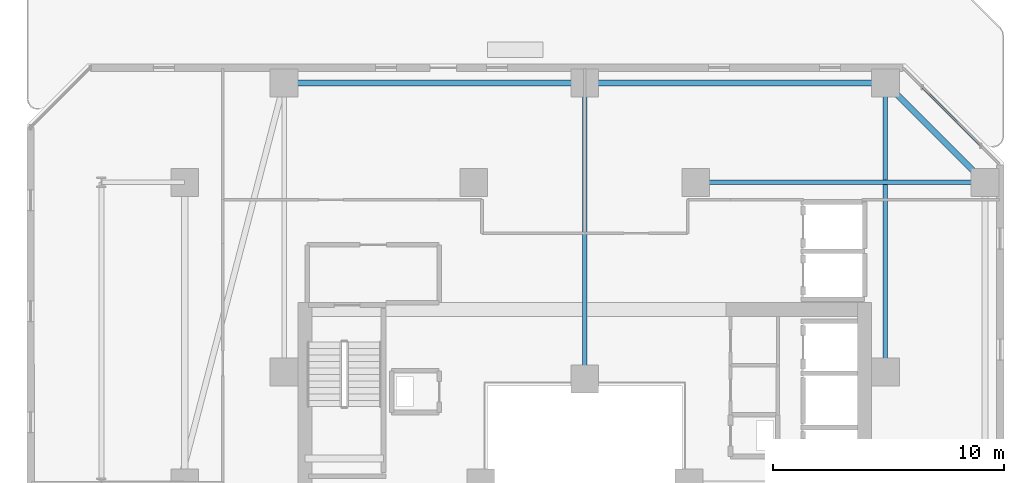
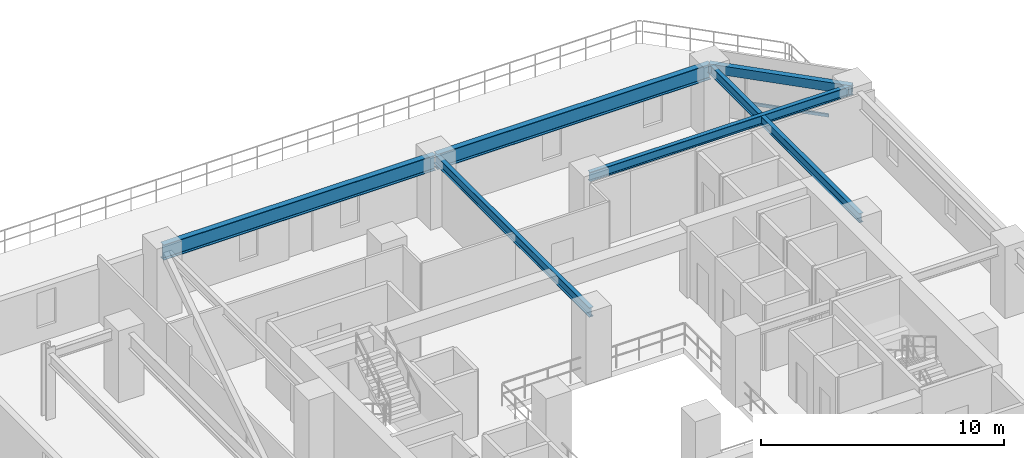
# One storey, part 17 of 33: 6 beams, 1 member, 1 element without a shape of its own.
"""IFC4 building model written with IfcOpenShell, lengths in metres."""

from ifc_helpers import new_model, si_unit, direction, frame, origin, origin_2d, place, context, subcontext, project, spatial, hollow_rectangle, i_section, extrude, material, material_profile, profile_set, type_object, element, aggregate, save


model = new_model("IFC4")

# Units and contexts
model_context = context("Model", 3, precision=1e-05, world=origin(), true_north=direction((0.0, 1.0)))
body_context = subcontext(model_context, "Body", "Model", "MODEL_VIEW")
ifc_project = project(units=[si_unit("LENGTHUNIT", "METRE"), si_unit("AREAUNIT", "SQUARE_METRE"), si_unit("VOLUMEUNIT", "CUBIC_METRE"), si_unit("PLANEANGLEUNIT", "RADIAN"), si_unit("MASSUNIT", "GRAM", prefix="KILO")], contexts=[model_context])

# Site, building, storey
site_placement = place(None, origin())
site = spatial("IfcSite", under=ifc_project, at=site_placement, CompositionType="ELEMENT")
building_placement = place(site_placement, origin())
building = spatial("IfcBuilding", under=site, at=building_placement, Name="Thornwick Lancets Civic Towers", CompositionType="ELEMENT")
storey_placement = place(building_placement, frame((0.0, 0.0, 98.10009765625)))
storey = spatial("IfcBuildingStorey", under=building, at=storey_placement, Name="L25", CompositionType="ELEMENT", Elevation=98.10009765625)

# Beams
ifc_material_1 = material(Name="Steel S355JR", Category="steel")
ifc_material_profile_1 = material_profile(ifc_material_1, i_section(OverallWidth=0.26806640625, OverallDepth=0.769775390625, WebThickness=0.015625, FlangeThickness=0.025390625, FilletRadius=0.0166015625, at=origin_2d()), Name="UKB 762x267x197")
ifc_profile_set_1 = profile_set([ifc_material_profile_1], Name="Steel S355JR")
beam_type_1 = type_object("IfcBeamType", Name="BM_GIRD_762_197", PredefinedType="BEAM", material=ifc_profile_set_1)
beam_1_placement = place(storey_placement, frame((101.5, 44.300048828125, 2.93505859375), z_axis=(-1.0, 0.0, 0.0), x_axis=(0.0, -1.0, 0.0)))
element("IfcBeam", 1, at=beam_1_placement, inside=storey, type_object=beam_type_1, Name="BM-SPINE-L25-B-3-4", PredefinedType="BEAM", context=body_context, shape_type="SweptSolid", body=[
    extrude(i_section(OverallWidth=0.26806640625, OverallDepth=0.769775390625, WebThickness=0.015625, FlangeThickness=0.025390625, FilletRadius=0.0166015625, at=origin_2d()), origin(), (0.0, 0.0, 1.0), 13.0),
])
beam_2_placement = place(storey_placement, frame((88.419921875, 44.300048828125, 2.93505859375), z_axis=(-1.0, 0.0, 0.0), x_axis=(0.0, -1.0, 0.0)))
element("IfcBeam", 2, at=beam_2_placement, inside=storey, type_object=beam_type_1, Name="BM-SPINE-L25-B-4-5", PredefinedType="BEAM", context=body_context, shape_type="SweptSolid", body=[
    extrude(i_section(OverallWidth=0.26806640625, OverallDepth=0.769775390625, WebThickness=0.015625, FlangeThickness=0.025390625, FilletRadius=0.0166015625, at=origin_2d()), origin(), (0.0, 0.0, 1.0), 12.919921875),
])
ifc_material_profile_2 = material_profile(ifc_material_1, i_section(OverallWidth=0.19287109375, OverallDepth=0.46728515625, WebThickness=0.011474609375, FlangeThickness=0.01953125, FilletRadius=0.01025390625, at=origin_2d()), Name="UKB 457x191x98")
ifc_profile_set_2 = profile_set([ifc_material_profile_2], Name="Steel S355JR")
beam_type_2 = type_object("IfcBeamType", Name="BM_JOIST_457_98", PredefinedType="JOIST", material=ifc_profile_set_2)
for number, where, z_axis, x_axis, name in (
    (3, (93.300048828125, 40.0, 3.086181640625), (1.0, 0.0, 0.0), (0.0, 1.0, 0.0), "BM-RADIN-L25-B03"),
    (4, (101.5, 31.800048828125, 3.086181640625), (0.0, 1.0, 0.0), (-1.0, 0.0, 0.0), "BM-RADIN-L25-B04"),
):
    element("IfcBeam", number, at=place(storey_placement, frame(where, z_axis=z_axis, x_axis=x_axis)), inside=storey, type_object=beam_type_2, Name=name, PredefinedType="JOIST", context=body_context, shape_type="SweptSolid", body=[
        extrude(i_section(OverallWidth=0.19287109375, OverallDepth=0.46728515625, WebThickness=0.011474609375, FlangeThickness=0.01953125, FilletRadius=0.01025390625, at=origin_2d()), origin(), (0.0, 0.0, 1.0), 12.5),
    ])
beam_3_placement = place(storey_placement, frame((88.5, 31.5, 3.086181640625), z_axis=(0.0, 1.0, 0.0), x_axis=(-1.0, 0.0, 0.0)))
element("IfcBeam", 5, at=beam_3_placement, inside=storey, type_object=beam_type_2, Name="BM-RADIN-L25-B05", PredefinedType="JOIST", context=body_context, shape_type="SweptSolid", body=[
    extrude(i_section(OverallWidth=0.19287109375, OverallDepth=0.46728515625, WebThickness=0.011474609375, FlangeThickness=0.01953125, FilletRadius=0.01025390625, at=origin_2d()), origin(), (0.0, 0.0, 1.0), 12.800048828125),
])
ifc_material_profile_3 = material_profile(ifc_material_1, hollow_rectangle(XDim=0.25, YDim=0.449951171875, WallThickness=0.01611328125, at=origin_2d()), Name="RHS 450x250x16")
ifc_profile_set_3 = profile_set([ifc_material_profile_3], Name="Steel S355JR")
beam_type_3 = type_object("IfcBeamType", Name="BM_RING_RHS450", PredefinedType="BEAM", material=ifc_profile_set_3)
beam_4_placement = place(storey_placement, frame((105.800048828125, 40.0, 3.094970703125), z_axis=(-0.707106781187, 0.707106781187, 0.0), x_axis=(-0.707106781187, -0.707106781187, 0.0)))
element("IfcBeam", 6, at=beam_4_placement, inside=storey, type_object=beam_type_3, Name="BM-CHAMF-L25-B-C0", PredefinedType="BEAM", context=body_context, shape_type="SweptSolid", body=[
    extrude(hollow_rectangle(XDim=0.25, YDim=0.449951171875, WallThickness=0.01611328125, at=origin_2d()), origin(), (0.0, 0.0, 1.0), 6.081298828125),
])

# Curtain wall, member
ifc_material_2 = material(Name="Low-zone chamfered-corner unitised glass curtain wall", Category="glass")
curtain_wall_type = type_object("IfcCurtainWallType", Name="CW_SYS_03", PredefinedType="NOTDEFINED", material=ifc_material_2)
curtain_wall_placement = place(storey_placement, origin())
curtain_wall = element("IfcCurtainWall", 7, at=curtain_wall_placement, inside=storey, type_object=curtain_wall_type, Name="L25 Curtain Wall CW-L25-B-E3", PredefinedType="NOTDEFINED")
ifc_material_3 = material(Name="Thermally broken bronze aluminium S355", Category="steel")
ifc_material_profile_4 = material_profile(ifc_material_3, hollow_rectangle(XDim=0.074951171875, YDim=0.14990234375, WallThickness=0.0048828125, at=origin_2d()), Name="RHS 150x75x5")
ifc_profile_set_4 = profile_set([ifc_material_profile_4], Name="Thermally broken bronze aluminium S355")
member_type = type_object("IfcMemberType", Name="CW_TRN_150", PredefinedType="USERDEFINED", material=ifc_profile_set_4)
member_placement = place(storey_placement, frame((105.607421875, 41.603515625, 0.849853515625), z_axis=(-0.707106781187, 0.707106781187, 0.0), x_axis=(-0.707106781187, -0.707106781187, 0.0)))
member = element("IfcMember", 8, at=member_placement, type_object=member_type, Name="CW-L25-B-E3 Transom 0", ObjectType="TRANSOM", PredefinedType="USERDEFINED", context=body_context, shape_type="SweptSolid", body=[
    extrude(hollow_rectangle(XDim=0.074951171875, YDim=0.14990234375, WallThickness=0.0048828125, at=origin_2d()), origin(), (0.0, 0.0, 1.0), 3.541015625),
])
aggregate(curtain_wall, [member])

save(model, "model.ifc")
